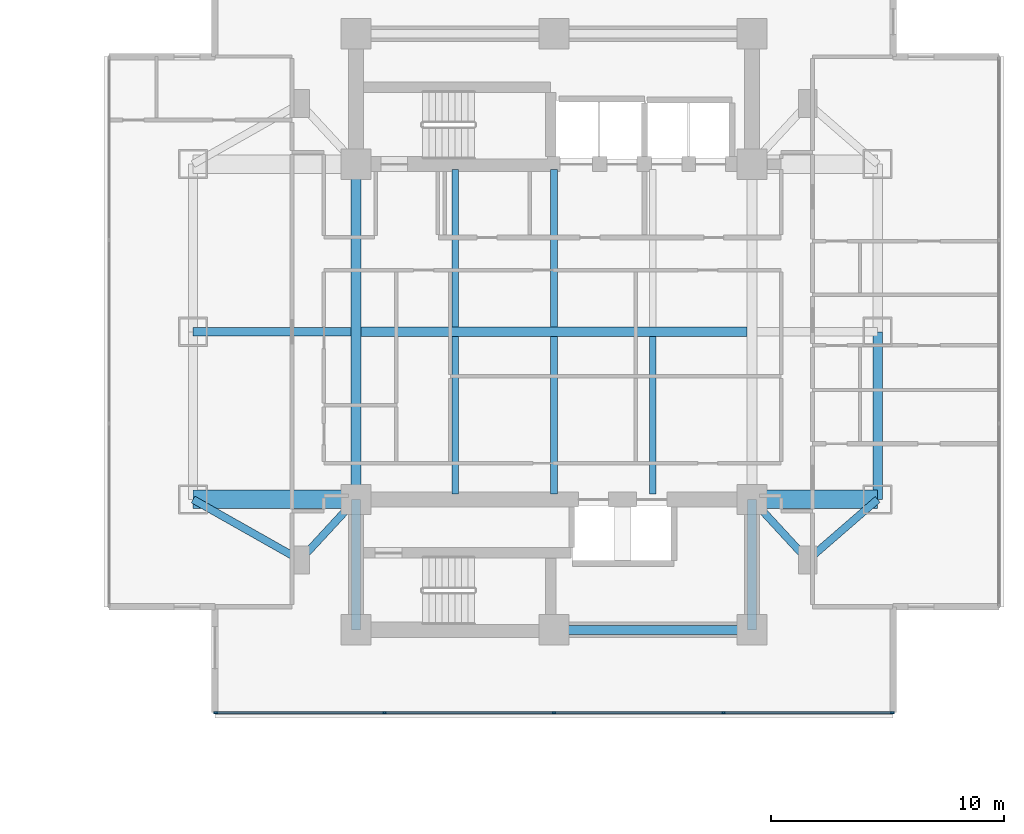
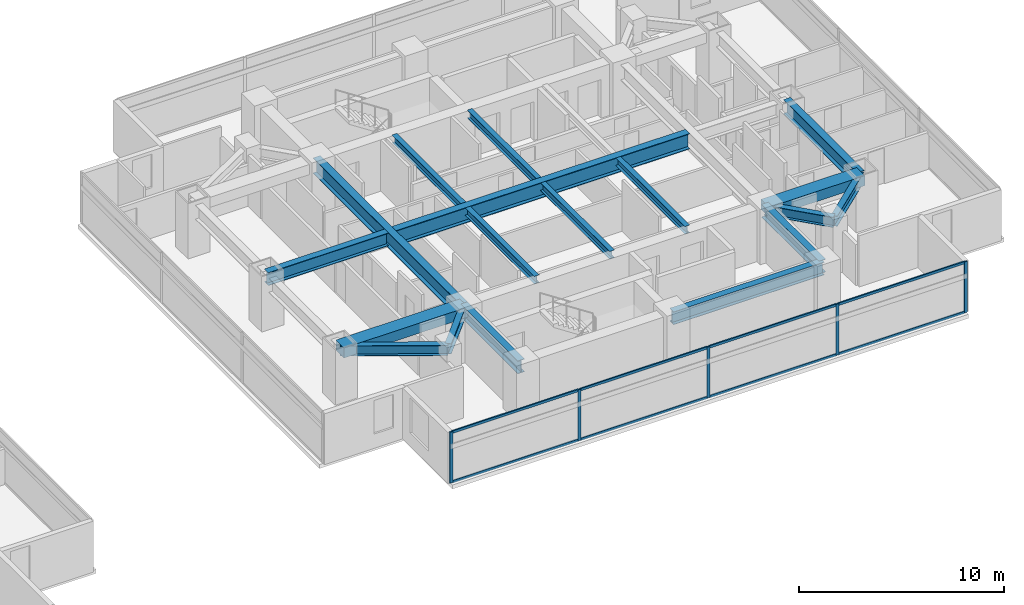
# One storey, part 9 of 27: 18 beams, 13 members, 1 element without a shape of its own.
"""IFC4 building model written with IfcOpenShell, lengths in metres."""

from ifc_helpers import new_model, si_unit, direction, frame, origin, origin_2d, place, context, subcontext, project, spatial, rectangle, i_section, extrude, material, material_profile, profile_set, type_object, element, aggregate, save


model = new_model("IFC4")

# Units and contexts
model_context = context("Model", 3, precision=1e-05, world=origin(), true_north=direction((0.0, 1.0)))
body_context = subcontext(model_context, "Body", "Model", "MODEL_VIEW")
ifc_project = project(units=[si_unit("LENGTHUNIT", "METRE"), si_unit("AREAUNIT", "SQUARE_METRE"), si_unit("VOLUMEUNIT", "CUBIC_METRE"), si_unit("PLANEANGLEUNIT", "RADIAN"), si_unit("MASSUNIT", "GRAM", prefix="KILO")], contexts=[model_context])

# Site, building, storey
site_placement = place(None, origin())
site = spatial("IfcSite", under=ifc_project, at=site_placement, CompositionType="ELEMENT")
building_placement = place(site_placement, origin())
building = spatial("IfcBuilding", under=site, at=building_placement, Name="Mirazonda Arch Towers", CompositionType="ELEMENT")
storey_placement = place(building_placement, frame((0.0, 0.0, 75.199951171875)))
storey = spatial("IfcBuildingStorey", under=building, at=storey_placement, Name="L21", CompositionType="ELEMENT", Elevation=75.199951171875)

# Beams
ifc_material_1 = material(Name="Steel ASTM A992 Grade 50", Category="steel")
ifc_material_profile_1 = material_profile(ifc_material_1, i_section(OverallWidth=0.39990234375, OverallDepth=0.85595703125, WebThickness=0.018310546875, FlangeThickness=0.029296875, at=origin_2d()), Name="W33X201")
ifc_profile_set_1 = profile_set([ifc_material_profile_1], Name="Steel ASTM A992 Grade 50")
beam_type_1 = type_object("IfcBeamType", Name="BM-EXT-W33X201", PredefinedType="USERDEFINED", material=ifc_profile_set_1)
beam_1_placement = place(storey_placement, frame((90.39990234375, 20.800048828125, 2.632080078125), z_axis=(0.0, 1.0, 0.0), x_axis=(-1.0, 0.0, 0.0)))
element("IfcBeam", 1, at=beam_1_placement, inside=storey, type_object=beam_type_1, Name="L21 Floor Beam BM-T2-L21-NS-E-20", ObjectType="GIRDER", PredefinedType="USERDEFINED", context=body_context, shape_type="SweptSolid", body=[
    extrude(i_section(OverallWidth=0.39990234375, OverallDepth=0.85595703125, WebThickness=0.018310546875, FlangeThickness=0.029296875, at=origin_2d()), origin(), (0.0, 0.0, 1.0), 7.199951171875),
])
ifc_material_profile_2 = material_profile(ifc_material_1, i_section(OverallWidth=0.280029296875, OverallDepth=0.462890625, WebThickness=0.0107421875, FlangeThickness=0.017333984375, at=origin_2d()), Name="W18X76")
ifc_profile_set_2 = profile_set([ifc_material_profile_2], Name="Steel ASTM A992 Grade 50")
beam_type_2 = type_object("IfcBeamType", Name="BM-INT-W18X76", PredefinedType="JOIST", material=ifc_profile_set_2)
for number, where, z_axis, x_axis, name in (
    (2, (72.25, 21.0400390625, 2.82861328125), (0.0, 1.0, 0.0), (-1.0, 0.0, 0.0), "L21 Floor Beam BM-T2-L21-J-722-20"),
    (3, (72.25, 28.205078125, 2.82861328125), (0.0, 1.0, 0.0), (-1.0, 0.0, 0.0), "L21 Floor Beam BM-T2-L21-J-722-28"),
    (4, (76.5, 21.0400390625, 2.82861328125), (0.0, 1.0, 0.0), (-1.0, 0.0, 0.0), "L21 Floor Beam BM-T2-L21-J-765-20"),
    (5, (76.5, 28.205078125, 2.82861328125), (0.0, 1.0, 0.0), (-1.0, 0.0, 0.0), "L21 Floor Beam BM-T2-L21-J-765-28"),
    (6, (80.75, 21.0400390625, 2.82861328125), (0.0, 1.0, 0.0), (-1.0, 0.0, 0.0), "L21 Floor Beam BM-T2-L21-J-807-20"),
):
    element("IfcBeam", number, at=place(storey_placement, frame(where, z_axis=z_axis, x_axis=x_axis)), inside=storey, type_object=beam_type_2, Name=name, PredefinedType="JOIST", context=body_context, shape_type="SweptSolid", body=[
        extrude(i_section(OverallWidth=0.280029296875, OverallDepth=0.462890625, WebThickness=0.0107421875, FlangeThickness=0.017333984375, at=origin_2d()), origin(), (0.0, 0.0, 1.0), 6.7548828125),
    ])
ifc_material_profile_3 = material_profile(ifc_material_1, i_section(OverallWidth=0.324951171875, OverallDepth=0.615966796875, WebThickness=0.013916015625, FlangeThickness=0.021484375, at=origin_2d()), Name="W24X117")
ifc_profile_set_3 = profile_set([ifc_material_profile_3], Name="Steel ASTM A992 Grade 50")
beam_type_3 = type_object("IfcBeamType", Name="BM-INT-W24X117", PredefinedType="BEAM", material=ifc_profile_set_3)
beam_2_placement = place(storey_placement, frame((65.60009765625, 18.199951171875, 2.751953125), z_axis=(0.678251444854, 0.734829897019, 0.0), x_axis=(-0.734829897019, 0.678251444854, 0.0)))
element("IfcBeam", 7, at=beam_2_placement, inside=storey, type_object=beam_type_3, Name="L21 Floor Beam BM-T2-L21-PL-SW1", PredefinedType="BEAM", context=body_context, shape_type="SweptSolid", body=[
    extrude(i_section(OverallWidth=0.324951171875, OverallDepth=0.615966796875, WebThickness=0.013916015625, FlangeThickness=0.021484375, at=origin_2d()), origin(), (0.0, 0.0, 1.0), 3.538330078125),
])
beam_3_placement = place(storey_placement, frame((65.60009765625, 18.199951171875, 2.751953125), z_axis=(-0.870559396632, 0.492063346467, 0.0), x_axis=(-0.492063346467, -0.870559396632, 0.0)))
element("IfcBeam", 8, at=beam_3_placement, inside=storey, type_object=beam_type_3, Name="L21 Floor Beam BM-T2-L21-PL-SW2", PredefinedType="BEAM", context=body_context, shape_type="SweptSolid", body=[
    extrude(i_section(OverallWidth=0.324951171875, OverallDepth=0.615966796875, WebThickness=0.013916015625, FlangeThickness=0.021484375, at=origin_2d()), origin(), (0.0, 0.0, 1.0), 5.2841796875),
])
beam_4_placement = place(storey_placement, frame((87.39990234375, 18.199951171875, 2.751953125), z_axis=(-0.678251444854, 0.734829897019, 0.0), x_axis=(-0.734829897019, -0.678251444854, 0.0)))
element("IfcBeam", 9, at=beam_4_placement, inside=storey, type_object=beam_type_3, Name="L21 Floor Beam BM-T2-L21-PL-SE1", PredefinedType="BEAM", context=body_context, shape_type="SweptSolid", body=[
    extrude(i_section(OverallWidth=0.324951171875, OverallDepth=0.615966796875, WebThickness=0.013916015625, FlangeThickness=0.021484375, at=origin_2d()), origin(), (0.0, 0.0, 1.0), 3.538330078125),
])
beam_5_placement = place(storey_placement, frame((87.39990234375, 18.199951171875, 2.751953125), z_axis=(0.755676908098, 0.654944585876, 0.0), x_axis=(-0.654944585876, 0.755676908098, 0.0)))
element("IfcBeam", 10, at=beam_5_placement, inside=storey, type_object=beam_type_3, Name="L21 Floor Beam BM-T2-L21-PL-SE2", PredefinedType="BEAM", context=body_context, shape_type="SweptSolid", body=[
    extrude(i_section(OverallWidth=0.324951171875, OverallDepth=0.615966796875, WebThickness=0.013916015625, FlangeThickness=0.021484375, at=origin_2d()), origin(), (0.0, 0.0, 1.0), 3.969970703125),
])
ifc_material_profile_4 = material_profile(ifc_material_1, i_section(OverallWidth=0.381103515625, OverallDepth=0.77294921875, WebThickness=0.0166015625, FlangeThickness=0.027099609375, at=origin_2d()), Name="W30X173")
ifc_profile_set_4 = profile_set([ifc_material_profile_4], Name="Steel ASTM A992 Grade 50")
beam_type_4 = type_object("IfcBeamType", Name="BM-INT-W30X173", PredefinedType="USERDEFINED", material=ifc_profile_set_4)
beam_6_placement = place(storey_placement, frame((76.5, 15.199951171875, 2.673583984375), z_axis=(1.0, 0.0, 0.0), x_axis=(0.0, 1.0, 0.0)))
element("IfcBeam", 11, at=beam_6_placement, inside=storey, type_object=beam_type_4, Name="L21 Floor Beam BM-T2-L21-CS2", ObjectType="GIRDER", PredefinedType="USERDEFINED", context=body_context, shape_type="SweptSolid", body=[
    extrude(i_section(OverallWidth=0.381103515625, OverallDepth=0.77294921875, WebThickness=0.0166015625, FlangeThickness=0.027099609375, at=origin_2d()), origin(), (0.0, 0.0, 1.0), 8.5),
])
for number, where, z_axis, x_axis, name in (
    (12, (68.0, 15.199951171875, 2.673583984375), (0.0, 1.0, 0.0), (-1.0, 0.0, 0.0), "L21 Floor Beam BM-T2-L21-CSW"),
    (13, (85.0, 15.199951171875, 2.673583984375), (0.0, 1.0, 0.0), (-1.0, 0.0, 0.0), "L21 Floor Beam BM-T2-L21-CSE"),
):
    element("IfcBeam", number, at=place(storey_placement, frame(where, z_axis=z_axis, x_axis=x_axis)), inside=storey, type_object=beam_type_4, Name=name, ObjectType="GIRDER", PredefinedType="USERDEFINED", context=body_context, shape_type="SweptSolid", body=[
        extrude(i_section(OverallWidth=0.381103515625, OverallDepth=0.77294921875, WebThickness=0.0166015625, FlangeThickness=0.027099609375, at=origin_2d()), origin(), (0.0, 0.0, 1.0), 5.60009765625),
    ])
beam_7_placement = place(storey_placement, frame((61.0, 28.0, 2.673583984375), z_axis=(1.0, 0.0, 0.0), x_axis=(0.0, 1.0, 0.0)))
element("IfcBeam", 14, at=beam_7_placement, inside=storey, type_object=beam_type_4, Name="L21 Floor Beam BM-T2-L21-GW2", ObjectType="GIRDER", PredefinedType="USERDEFINED", context=body_context, shape_type="SweptSolid", body=[
    extrude(i_section(OverallWidth=0.381103515625, OverallDepth=0.77294921875, WebThickness=0.0166015625, FlangeThickness=0.027099609375, at=origin_2d()), origin(), (0.0, 0.0, 1.0), 6.791015625),
])
ifc_material_profile_5 = material_profile(ifc_material_1, i_section(OverallWidth=0.41796875, OverallDepth=0.927001953125, WebThickness=0.019287109375, FlangeThickness=0.031982421875, at=origin_2d()), Name="W36X231")
ifc_profile_set_5 = profile_set([ifc_material_profile_5], Name="Steel ASTM A992 Grade 50")
beam_type_5 = type_object("IfcBeamType", Name="BM-INT-W36X231", PredefinedType="USERDEFINED", material=ifc_profile_set_5)
beam_8_placement = place(storey_placement, frame((68.208984375, 28.0, 2.596435546875), z_axis=(1.0, 0.0, 0.0), x_axis=(0.0, 1.0, 0.0)))
element("IfcBeam", 15, at=beam_8_placement, inside=storey, type_object=beam_type_5, Name="L21 Floor Beam BM-T2-L21-GC2", ObjectType="GIRDER", PredefinedType="USERDEFINED", context=body_context, shape_type="SweptSolid", body=[
    extrude(i_section(OverallWidth=0.41796875, OverallDepth=0.927001953125, WebThickness=0.019287109375, FlangeThickness=0.031982421875, at=origin_2d()), origin(), (0.0, 0.0, 1.0), 16.58203125),
])
beam_9_placement = place(storey_placement, frame((68.0, 20.800048828125, 2.596435546875), z_axis=(0.0, 1.0, 0.0), x_axis=(-1.0, 0.0, 0.0)))
element("IfcBeam", 16, at=beam_9_placement, inside=storey, type_object=beam_type_5, Name="L21 Floor Beam BM-T2-L21-NS-CW-FULL", ObjectType="GIRDER", PredefinedType="USERDEFINED", context=body_context, shape_type="SweptSolid", body=[
    extrude(i_section(OverallWidth=0.41796875, OverallDepth=0.927001953125, WebThickness=0.019287109375, FlangeThickness=0.031982421875, at=origin_2d()), origin(), (0.0, 0.0, 1.0), 14.39990234375),
])
ifc_material_2 = material(Name="Concrete C60/75", Category="concrete")
ifc_material_profile_6 = material_profile(ifc_material_2, rectangle(XDim=0.800048828125, YDim=0.60009765625, at=origin_2d()), Name="RCCB800x600")
ifc_profile_set_6 = profile_set([ifc_material_profile_6], Name="Concrete C60/75")
beam_type_6 = type_object("IfcBeamType", Name="CB-INT-RCCB800x600", PredefinedType="SPANDREL", material=ifc_profile_set_6)
beam_10_placement = place(storey_placement, frame((61.0, 20.800048828125, 2.760009765625), z_axis=(1.0, 0.0, 0.0), x_axis=(0.0, 1.0, 0.0)))
element("IfcBeam", 17, at=beam_10_placement, inside=storey, type_object=beam_type_6, Name="L21 Floor Beam CBC-T2-L21-SW", PredefinedType="SPANDREL", context=body_context, shape_type="SweptSolid", body=[
    extrude(rectangle(XDim=0.800048828125, YDim=0.60009765625, at=origin_2d()), origin(), (0.0, 0.0, 1.0), 7.0),
])
beam_11_placement = place(storey_placement, frame((85.0, 20.800048828125, 2.760009765625), z_axis=(1.0, 0.0, 0.0), x_axis=(0.0, 1.0, 0.0)))
element("IfcBeam", 18, at=beam_11_placement, inside=storey, type_object=beam_type_6, Name="L21 Floor Beam CBC-T2-L21-SE", PredefinedType="SPANDREL", context=body_context, shape_type="SweptSolid", body=[
    extrude(rectangle(XDim=0.800048828125, YDim=0.60009765625, at=origin_2d()), origin(), (0.0, 0.0, 1.0), 5.39990234375),
])

# Curtain wall, members
ifc_material_3 = material(Name="Anodised Aluminium and Low-E Glass", Category="aluminium")
curtain_wall_type = type_object("IfcCurtainWallType", Name="CW-HTL-UNIT", PredefinedType="NOTDEFINED", material=ifc_material_3)
curtain_wall_placement = place(storey_placement, origin())
curtain_wall = element("IfcCurtainWall", 19, at=curtain_wall_placement, inside=storey, type_object=curtain_wall_type, Name="L21 T2 S Facade CW-L21-T2-S", PredefinedType="NOTDEFINED")
ifc_material_4 = material(Name="Anodised Aluminium Alloy", Category="aluminium")
ifc_material_profile_7 = material_profile(ifc_material_4, rectangle(XDim=0.074951171875, YDim=0.1650390625, at=origin_2d()), Name="ALU-MULL-75x165")
ifc_profile_set_7 = profile_set([ifc_material_profile_7], Name="Anodised Aluminium Alloy")
member_type_1 = type_object("IfcMemberType", Name="MULL-CW-HTL-UNIT", PredefinedType="MULLION", material=ifc_profile_set_7)
member_1_placement = place(storey_placement, frame((91.0224609375, 11.640869140625, 0.0), z_axis=(0.0, 0.0, 1.0), x_axis=(0.0, -1.0, 0.0)))
member_1 = element("IfcMember", 20, at=member_1_placement, type_object=member_type_1, Name="CW-112 mullion 1", PredefinedType="MULLION", context=body_context, shape_type="SweptSolid", body=[
    extrude(rectangle(XDim=0.074951171875, YDim=0.1650390625, at=origin_2d()), origin(), (0.0, 0.0, 1.0), 3.0400390625),
])
member_2_placement = place(storey_placement, frame((83.780029296875, 11.640869140625, 0.0), z_axis=(0.0, 0.0, 1.0), x_axis=(0.0, -1.0, 0.0)))
member_2 = element("IfcMember", 21, at=member_2_placement, type_object=member_type_1, Name="CW-112 mullion 2", PredefinedType="MULLION", context=body_context, shape_type="SweptSolid", body=[
    extrude(rectangle(XDim=0.074951171875, YDim=0.1650390625, at=origin_2d()), origin(), (0.0, 0.0, 1.0), 3.0400390625),
])
member_3_placement = place(storey_placement, frame((76.5, 11.640869140625, 0.0), z_axis=(0.0, 0.0, 1.0), x_axis=(0.0, -1.0, 0.0)))
member_3 = element("IfcMember", 22, at=member_3_placement, type_object=member_type_1, Name="CW-112 mullion 3", PredefinedType="MULLION", context=body_context, shape_type="SweptSolid", body=[
    extrude(rectangle(XDim=0.074951171875, YDim=0.1650390625, at=origin_2d()), origin(), (0.0, 0.0, 1.0), 3.0400390625),
])
member_4_placement = place(storey_placement, frame((69.219970703125, 11.640869140625, 0.0), z_axis=(0.0, 0.0, 1.0), x_axis=(0.0, -1.0, 0.0)))
member_4 = element("IfcMember", 23, at=member_4_placement, type_object=member_type_1, Name="CW-112 mullion 4", PredefinedType="MULLION", context=body_context, shape_type="SweptSolid", body=[
    extrude(rectangle(XDim=0.074951171875, YDim=0.1650390625, at=origin_2d()), origin(), (0.0, 0.0, 1.0), 3.0400390625),
])
member_5_placement = place(storey_placement, frame((61.9775390625, 11.640869140625, 0.0), z_axis=(0.0, 0.0, 1.0), x_axis=(0.0, -1.0, 0.0)))
member_5 = element("IfcMember", 24, at=member_5_placement, type_object=member_type_1, Name="CW-112 mullion 5", PredefinedType="MULLION", context=body_context, shape_type="SweptSolid", body=[
    extrude(rectangle(XDim=0.074951171875, YDim=0.1650390625, at=origin_2d()), origin(), (0.0, 0.0, 1.0), 3.0400390625),
])
ifc_material_profile_8 = material_profile(ifc_material_4, rectangle(XDim=0.074951171875, YDim=0.14501953125, at=origin_2d()), Name="ALU-TRAN-75x145")
ifc_profile_set_8 = profile_set([ifc_material_profile_8], Name="Anodised Aluminium Alloy")
member_type_2 = type_object("IfcMemberType", Name="TRAN-CW-HTL-UNIT", PredefinedType="USERDEFINED", material=ifc_profile_set_8)
member_6_placement = place(storey_placement, frame((90.985107421875, 11.640869140625, 0.03759765625), z_axis=(-1.0, 0.0, 0.0), x_axis=(0.0, -1.0, 0.0)))
member_6 = element("IfcMember", 25, at=member_6_placement, type_object=member_type_2, Name="CW-112 transom 1.1", ObjectType="TRANSOM", PredefinedType="USERDEFINED", context=body_context, shape_type="SweptSolid", body=[
    extrude(rectangle(XDim=0.074951171875, YDim=0.14501953125, at=origin_2d()), origin(), (0.0, 0.0, 1.0), 7.167724609375),
])
member_7_placement = place(storey_placement, frame((90.985107421875, 11.640869140625, 3.00244140625), z_axis=(-1.0, 0.0, 0.0), x_axis=(0.0, -1.0, 0.0)))
member_7 = element("IfcMember", 26, at=member_7_placement, type_object=member_type_2, Name="CW-112 transom 1.2", ObjectType="TRANSOM", PredefinedType="USERDEFINED", context=body_context, shape_type="SweptSolid", body=[
    extrude(rectangle(XDim=0.074951171875, YDim=0.14501953125, at=origin_2d()), origin(), (0.0, 0.0, 1.0), 7.167724609375),
])
member_8_placement = place(storey_placement, frame((83.742431640625, 11.640869140625, 0.03759765625), z_axis=(-1.0, 0.0, 0.0), x_axis=(0.0, -1.0, 0.0)))
member_8 = element("IfcMember", 27, at=member_8_placement, type_object=member_type_2, Name="CW-112 transom 2.1", ObjectType="TRANSOM", PredefinedType="USERDEFINED", context=body_context, shape_type="SweptSolid", body=[
    extrude(rectangle(XDim=0.074951171875, YDim=0.14501953125, at=origin_2d()), origin(), (0.0, 0.0, 1.0), 7.204833984375),
])
member_9_placement = place(storey_placement, frame((83.742431640625, 11.640869140625, 3.00244140625), z_axis=(-1.0, 0.0, 0.0), x_axis=(0.0, -1.0, 0.0)))
member_9 = element("IfcMember", 28, at=member_9_placement, type_object=member_type_2, Name="CW-112 transom 2.2", ObjectType="TRANSOM", PredefinedType="USERDEFINED", context=body_context, shape_type="SweptSolid", body=[
    extrude(rectangle(XDim=0.074951171875, YDim=0.14501953125, at=origin_2d()), origin(), (0.0, 0.0, 1.0), 7.204833984375),
])
member_10_placement = place(storey_placement, frame((76.46240234375, 11.640869140625, 0.03759765625), z_axis=(-1.0, 0.0, 0.0), x_axis=(0.0, -1.0, 0.0)))
member_10 = element("IfcMember", 29, at=member_10_placement, type_object=member_type_2, Name="CW-112 transom 3.1", ObjectType="TRANSOM", PredefinedType="USERDEFINED", context=body_context, shape_type="SweptSolid", body=[
    extrude(rectangle(XDim=0.074951171875, YDim=0.14501953125, at=origin_2d()), origin(), (0.0, 0.0, 1.0), 7.204833984375),
])
member_11_placement = place(storey_placement, frame((76.46240234375, 11.640869140625, 3.00244140625), z_axis=(-1.0, 0.0, 0.0), x_axis=(0.0, -1.0, 0.0)))
member_11 = element("IfcMember", 30, at=member_11_placement, type_object=member_type_2, Name="CW-112 transom 3.2", ObjectType="TRANSOM", PredefinedType="USERDEFINED", context=body_context, shape_type="SweptSolid", body=[
    extrude(rectangle(XDim=0.074951171875, YDim=0.14501953125, at=origin_2d()), origin(), (0.0, 0.0, 1.0), 7.204833984375),
])
member_12_placement = place(storey_placement, frame((69.1826171875, 11.640869140625, 0.03759765625), z_axis=(-1.0, 0.0, 0.0), x_axis=(0.0, -1.0, 0.0)))
member_12 = element("IfcMember", 31, at=member_12_placement, type_object=member_type_2, Name="CW-112 transom 4.1", ObjectType="TRANSOM", PredefinedType="USERDEFINED", context=body_context, shape_type="SweptSolid", body=[
    extrude(rectangle(XDim=0.074951171875, YDim=0.14501953125, at=origin_2d()), origin(), (0.0, 0.0, 1.0), 7.167724609375),
])
member_13_placement = place(storey_placement, frame((69.1826171875, 11.640869140625, 3.00244140625), z_axis=(-1.0, 0.0, 0.0), x_axis=(0.0, -1.0, 0.0)))
member_13 = element("IfcMember", 32, at=member_13_placement, type_object=member_type_2, Name="CW-112 transom 4.2", ObjectType="TRANSOM", PredefinedType="USERDEFINED", context=body_context, shape_type="SweptSolid", body=[
    extrude(rectangle(XDim=0.074951171875, YDim=0.14501953125, at=origin_2d()), origin(), (0.0, 0.0, 1.0), 7.167724609375),
])
aggregate(curtain_wall, [member_1, member_2, member_3, member_4, member_5, member_6, member_7, member_8, member_9, member_10, member_11, member_12, member_13])

save(model, "model.ifc")
